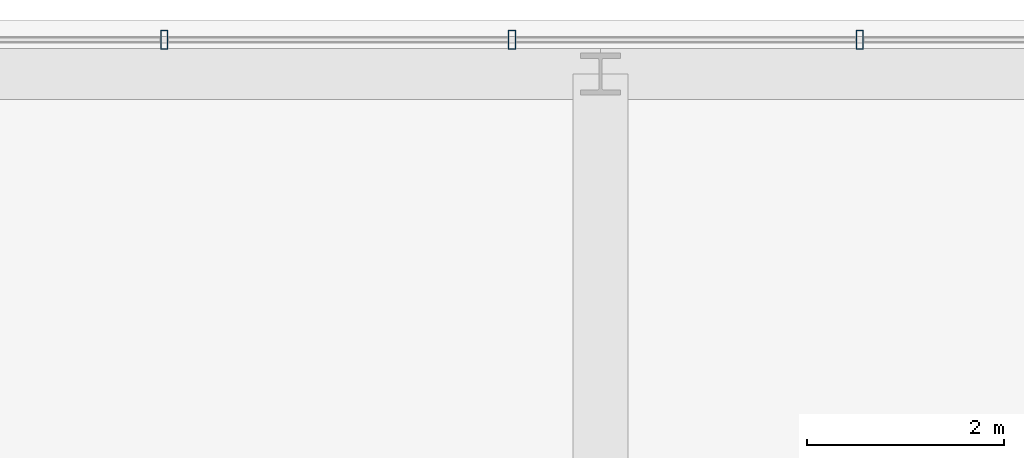
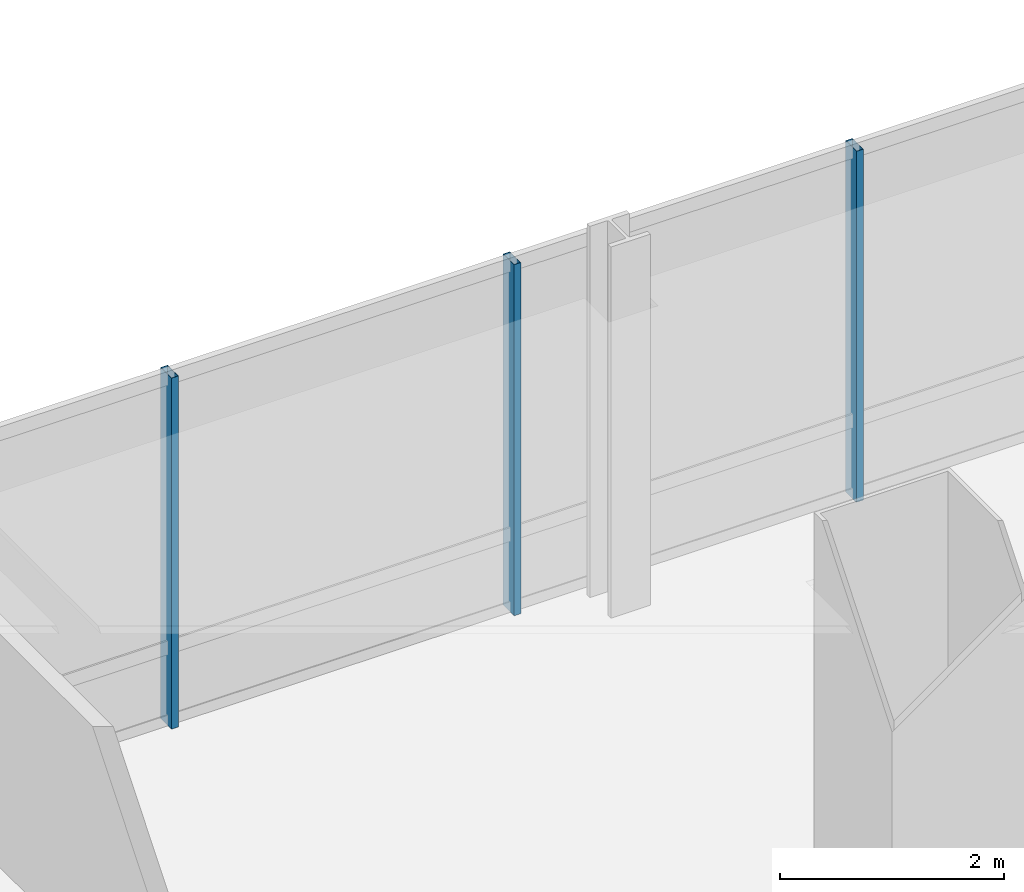
# One storey, part 25 of 38: 3 members, 1 element without a shape of its own.
"""IFC4 building model written with IfcOpenShell, lengths in metres."""

from ifc_helpers import new_model, si_unit, direction, frame, origin, origin_2d, place, context, subcontext, project, spatial, hollow_rectangle, extrude, material, material_profile, profile_set, type_object, element, aggregate, save


model = new_model("IFC4")

# Units and contexts
model_context = context("Model", 3, precision=1e-05, world=origin(), true_north=direction((0.0, 1.0)))
body_context = subcontext(model_context, "Body", "Model", "MODEL_VIEW")
ifc_project = project(units=[si_unit("LENGTHUNIT", "METRE"), si_unit("AREAUNIT", "SQUARE_METRE"), si_unit("VOLUMEUNIT", "CUBIC_METRE"), si_unit("PLANEANGLEUNIT", "RADIAN"), si_unit("MASSUNIT", "GRAM", prefix="KILO")], contexts=[model_context])

# Site, building, storey
site_placement = place(None, origin())
site = spatial("IfcSite", under=ifc_project, at=site_placement, CompositionType="ELEMENT")
building_placement = place(site_placement, origin())
building = spatial("IfcBuilding", under=site, at=building_placement, Name="Punatoya Terracotta Tower", CompositionType="ELEMENT")
storey_placement = place(building_placement, frame((0.0, 0.0, 151.949951171875)))
storey = spatial("IfcBuildingStorey", under=building, at=storey_placement, Name="L35", CompositionType="ELEMENT", Elevation=151.949951171875)

# Curtain wall, members
ifc_material_1 = material(Name="Aluminium 6063-T6 + Double Low-E Glass", Category="aluminium")
curtain_wall_type = type_object("IfcCurtainWallType", Name="CW-M2", PredefinedType="NOTDEFINED", material=ifc_material_1)
curtain_wall_placement = place(storey_placement, origin())
curtain_wall = element("IfcCurtainWall", 1, at=curtain_wall_placement, inside=storey, type_object=curtain_wall_type, Name="L35 Curtain Wall CW-L35-N09-1", PredefinedType="NOTDEFINED")
ifc_material_2 = material(Name="Aluminium 6063-T6", Category="aluminium")
ifc_material_profile = material_profile(ifc_material_2, hollow_rectangle(XDim=0.072021484375, YDim=0.195068359375, WallThickness=0.00439453125, at=origin_2d()))
ifc_profile_set = profile_set([ifc_material_profile], Name="Aluminium 6063-T6")
member_type = type_object("IfcMemberType", Name="CW-MUL-M2", PredefinedType="MULLION", material=ifc_profile_set)
member_1_placement = place(storey_placement, frame((6.43505859375, 23.25, 0.0), z_axis=(0.0, 0.0, 1.0), x_axis=(1.0, 0.0, 0.0)))
member_1 = element("IfcMember", 2, at=member_1_placement, type_object=member_type, Name="CW-L35-N09-1 Mullion 03", PredefinedType="MULLION", context=body_context, shape_type="SweptSolid", body=[
    extrude(hollow_rectangle(XDim=0.072021484375, YDim=0.195068359375, WallThickness=0.00439453125, at=origin_2d()), origin(), (0.0, 0.0, 1.0), 3.830078125),
])
member_2_placement = place(storey_placement, frame((2.90087890625, 23.25, 0.0), z_axis=(0.0, 0.0, 1.0), x_axis=(1.0, 0.0, 0.0)))
member_2 = element("IfcMember", 3, at=member_2_placement, type_object=member_type, Name="CW-L35-N09-1 Mullion 04", PredefinedType="MULLION", context=body_context, shape_type="SweptSolid", body=[
    extrude(hollow_rectangle(XDim=0.072021484375, YDim=0.195068359375, WallThickness=0.00439453125, at=origin_2d()), origin(), (0.0, 0.0, 1.0), 3.830078125),
])
member_3_placement = place(storey_placement, frame((-0.633056640625, 23.25, 0.0), z_axis=(0.0, 0.0, 1.0), x_axis=(1.0, 0.0, 0.0)))
member_3 = element("IfcMember", 4, at=member_3_placement, type_object=member_type, Name="CW-L35-N09-1 Mullion 05", PredefinedType="MULLION", context=body_context, shape_type="SweptSolid", body=[
    extrude(hollow_rectangle(XDim=0.072021484375, YDim=0.195068359375, WallThickness=0.00439453125, at=origin_2d()), origin(), (0.0, 0.0, 1.0), 3.830078125),
])
aggregate(curtain_wall, [member_1, member_2, member_3])

save(model, "model.ifc")
